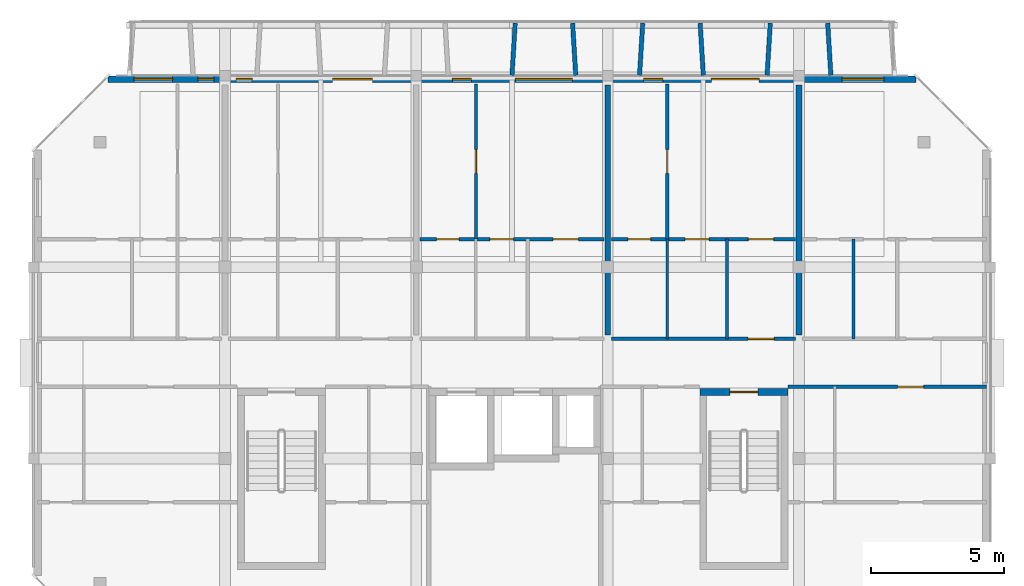
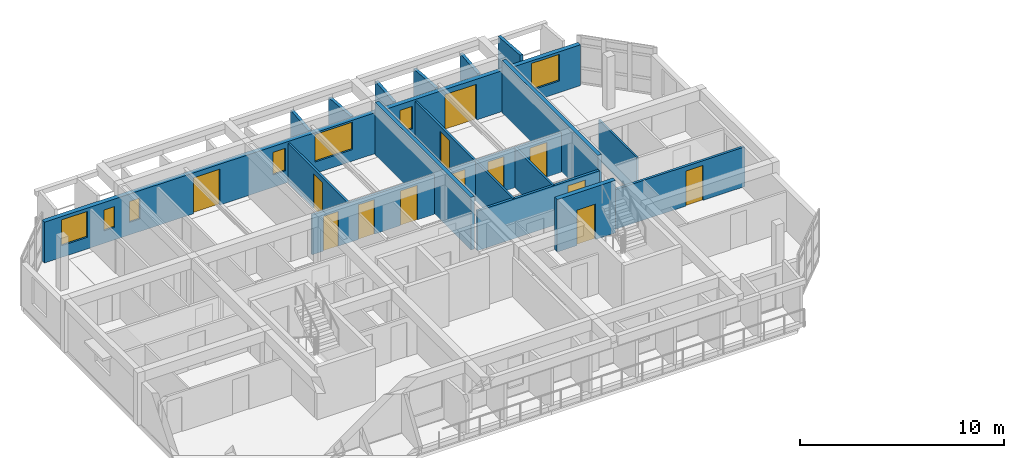
# One storey, part 13 of 19: 19 walls, 13 doors, 7 windows, 20 openings.
"""IFC4 building model written with IfcOpenShell, lengths in metres."""

from ifc_helpers import new_model, si_unit, direction, frame, frame_2d, origin, place, context, subcontext, project, spatial, rectangle, extrude, material, layer, layer_set, type_object, element, fill, save


model = new_model("IFC4")

# Units and contexts
model_context = context("Model", 3, precision=1e-05, world=origin(), true_north=direction((0.0, 1.0)))
body_context = subcontext(model_context, "Body", "Model", "MODEL_VIEW")
ifc_project = project(units=[si_unit("LENGTHUNIT", "METRE"), si_unit("AREAUNIT", "SQUARE_METRE"), si_unit("VOLUMEUNIT", "CUBIC_METRE"), si_unit("PLANEANGLEUNIT", "RADIAN"), si_unit("MASSUNIT", "GRAM", prefix="KILO")], contexts=[model_context])

# Site, building, storey
site_placement = place(None, origin())
site = spatial("IfcSite", under=ifc_project, at=site_placement, CompositionType="ELEMENT")
building_placement = place(site_placement, origin())
building = spatial("IfcBuilding", under=site, at=building_placement, Name="Ochrevale Crest", CompositionType="ELEMENT")
storey_placement = place(building_placement, frame((0.0, 0.0, 43.35009765625)))
storey = spatial("IfcBuildingStorey", under=building, at=storey_placement, Name="L13", CompositionType="ELEMENT", Elevation=43.35009765625)

# Wall, opening, door
ifc_material_1 = material(Name="Gypsum plasterboard", Category="gypsum")
ifc_layer_1 = layer(ifc_material_1, 0.139892578125)
ifc_layer_set_1 = layer_set([ifc_layer_1], Name="Gypsum plasterboard")
wall_type_1 = type_object("IfcWallType", Name="WL-COR-140", PredefinedType="PARTITIONING", material=ifc_layer_set_1)
wall_1_placement = place(storey_placement, frame((151.340087890625, 83.699951171875, 0.0), z_axis=(0.0, 0.0, 1.0), x_axis=(1.0, 0.0, 0.0)))
wall_1 = element("IfcWall", 1, at=wall_1_placement, inside=storey, type_object=wall_type_1, Name="Apartment D-L13-U4 corridor wall", PredefinedType="PARTITIONING", context=body_context, shape_type="SweptSolid", body=[
    extrude(rectangle(XDim=6.919921875, YDim=0.139892578125, at=frame_2d((3.4599609375, 0.0))), origin(), (0.0, 0.0, 1.0), 2.3798828125),
])
opening_1_placement = place(wall_1_placement, frame((5.14501953125, 0.0, 0.0)))
opening_1 = element("IfcOpeningElement", 2, at=opening_1_placement, cuts=wall_1, Name="Opening FD01", PredefinedType="OPENING", context=body_context, shape_type="SweptSolid", body=[
    extrude(rectangle(XDim=0.97998046875, YDim=2.10009765625, at=frame_2d((0.489990234375, 1.050048828125))), frame((0.0, 0.080078125, 0.0), z_axis=(0.0, -1.0, 0.0), x_axis=(1.0, 0.0, 0.0)), (0.0, 0.0, 1.0), 0.159912109375),
])
ifc_material_2 = material(Name="Solid-core FSC hardwood", Category="wood")
door_type_1 = type_object("IfcDoorType", Name="DR-APT-950", OperationType="NOTDEFINED", PredefinedType="DOOR", material=ifc_material_2)
door_1_placement = place(opening_1_placement, origin())
door_1 = element("IfcDoor", 3, at=door_1_placement, inside=storey, type_object=door_type_1, Name="Apartment D-L13-U4 entrance door", OperationType="SINGLE_SWING_LEFT", OverallHeight=2.10009765625, OverallWidth=0.97998046875, PredefinedType="DOOR", context=body_context, shape_type="SweptSolid", body=[
    extrude(rectangle(XDim=0.97998046875, YDim=2.10009765625, at=frame_2d((0.489990234375, 1.050048828125))), frame((0.0, 0.02490234375, 0.0), z_axis=(0.0, -1.0, 0.0), x_axis=(1.0, 0.0, 0.0)), (0.0, 0.0, 1.0), 0.050048828125),
])
fill(opening_1, door_1)

wall_2_placement = place(storey_placement, frame((157.989990234375, 81.89990234375, 0.0), z_axis=(0.0, 0.0, 1.0), x_axis=(1.0, 0.0, 0.0)))
wall_2 = element("IfcWall", 4, at=wall_2_placement, inside=storey, type_object=wall_type_1, Name="Suite D-L13-CE corridor wall", PredefinedType="PARTITIONING", context=body_context, shape_type="SweptSolid", body=[
    extrude(rectangle(XDim=7.469970703125, YDim=0.139892578125, at=frame_2d((3.73486328125, 0.0))), origin(), (0.0, 0.0, 1.0), 2.3798828125),
])
opening_2_placement = place(wall_2_placement, frame((4.1201171875, 0.0, 0.0)))
opening_2 = element("IfcOpeningElement", 5, at=opening_2_placement, cuts=wall_2, Name="Opening FD01", PredefinedType="OPENING", context=body_context, shape_type="SweptSolid", body=[
    extrude(rectangle(XDim=0.97998046875, YDim=2.10009765625, at=frame_2d((0.489990234375, 1.050048828125))), frame((0.0, 0.080078125, 0.0), z_axis=(0.0, -1.0, 0.0), x_axis=(1.0, 0.0, 0.0)), (0.0, 0.0, 1.0), 0.159912109375),
])
door_2_placement = place(opening_2_placement, origin())
door_2 = element("IfcDoor", 6, at=door_2_placement, inside=storey, type_object=door_type_1, Name="Suite D-L13-CE entrance door", OperationType="SINGLE_SWING_LEFT", OverallHeight=2.10009765625, OverallWidth=0.97998046875, PredefinedType="DOOR", context=body_context, shape_type="SweptSolid", body=[
    extrude(rectangle(XDim=0.97998046875, YDim=2.10009765625, at=frame_2d((0.489990234375, 1.050048828125))), frame((0.0, 0.02490234375, 0.0), z_axis=(0.0, -1.0, 0.0), x_axis=(1.0, 0.0, 0.0)), (0.0, 0.0, 1.0), 0.050048828125),
])
fill(opening_2, door_2)

ifc_material_3 = material(Name="Precast concrete C50/60", Category="concrete")
ifc_layer_2 = layer(ifc_material_3, 0.2548828125)
ifc_layer_set_2 = layer_set([ifc_layer_2], Name="Precast concrete C50/60")
wall_type_2 = type_object("IfcWallType", Name="WL-CORE-255", PredefinedType="SHEAR", material=ifc_layer_set_2)
wall_3_placement = place(storey_placement, frame((154.672607421875, 81.699951171875, 0.0), z_axis=(0.0, 0.0, 1.0), x_axis=(1.0, 0.0, 0.0)))
wall_3 = element("IfcWall", 7, at=wall_3_placement, inside=storey, type_object=wall_type_2, Name="Block D L13 Stair 2 precast core shear wall N", PredefinedType="SHEAR", context=body_context, shape_type="SweptSolid", body=[
    extrude(rectangle(XDim=3.304931640625, YDim=0.2548828125, at=frame_2d((1.65234375, 0.0))), origin(), (0.0, 0.0, 1.0), 3.14990234375),
])
opening_3_placement = place(wall_3_placement, frame((1.12744140625, 0.0, 0.0)))
opening_3 = element("IfcOpeningElement", 8, at=opening_3_placement, cuts=wall_3, Name="Opening FD03", PredefinedType="OPENING", context=body_context, shape_type="SweptSolid", body=[
    extrude(rectangle(XDim=1.050048828125, YDim=2.1201171875, at=frame_2d((0.52490234375, 1.06005859375))), frame((0.0, 0.137451171875, 0.0), z_axis=(0.0, -1.0, 0.0), x_axis=(1.0, 0.0, 0.0)), (0.0, 0.0, 1.0), 0.27490234375),
])
door_type_2 = type_object("IfcDoorType", Name="DR-ST-1050", OperationType="NOTDEFINED", PredefinedType="DOOR", material=ifc_material_2)
door_3_placement = place(opening_3_placement, origin())
door_3 = element("IfcDoor", 9, at=door_3_placement, inside=storey, type_object=door_type_2, Name="Block D L13 fire stair 2 door", OperationType="SINGLE_SWING_LEFT", OverallHeight=2.1201171875, OverallWidth=1.050048828125, PredefinedType="DOOR", context=body_context, shape_type="SweptSolid", body=[
    extrude(rectangle(XDim=1.050048828125, YDim=2.1201171875, at=frame_2d((0.52490234375, 1.06005859375))), frame((0.0, 0.02490234375, 0.0), z_axis=(0.0, -1.0, 0.0), x_axis=(1.0, 0.0, 0.0)), (0.0, 0.0, 1.0), 0.050048828125),
])
fill(opening_3, door_3)

# Wall, openings, doors, windows
ifc_material_4 = material(Name="Precast concrete C40/50", Category="concrete")
ifc_layer_3 = layer(ifc_material_4, 0.25)
ifc_layer_set_3 = layer_set([ifc_layer_3], Name="Precast concrete C40/50")
wall_type_3 = type_object("IfcWallType", Name="WL-EXT-GOLD-250", PredefinedType="SOLIDWALL", material=ifc_layer_set_3)
wall_4_placement = place(storey_placement, frame((162.800048828125, 93.47509765625, 0.0), z_axis=(0.0, 0.0, 1.0), x_axis=(-1.0, 0.0, 0.0)))
wall_4 = element("IfcWall", 10, at=wall_4_placement, inside=storey, type_object=wall_type_3, Name="Block D L13 external facade wall E5", PredefinedType="SOLIDWALL", context=body_context, shape_type="SweptSolid", body=[
    extrude(rectangle(XDim=30.400146484375, YDim=0.25, at=frame_2d((15.2001953125, 0.0))), origin(), (0.0, 0.0, 1.0), 2.449951171875),
])
opening_4_placement = place(wall_4_placement, frame((21.949951171875, 0.0, 0.0), z_axis=(0.0, 0.0, 1.0), x_axis=(-1.0, 0.0, 0.0)))
opening_4 = element("IfcOpeningElement", 11, at=opening_4_placement, cuts=wall_4, Name="Opening BD01", PredefinedType="OPENING", context=body_context, shape_type="SweptSolid", body=[
    extrude(rectangle(XDim=1.5, YDim=2.14990234375, at=frame_2d((0.75, 1.074951171875))), frame((0.0, 0.135009765625, 0.0), z_axis=(0.0, -1.0, 0.0), x_axis=(1.0, 0.0, 0.0)), (0.0, 0.0, 1.0), 0.27001953125),
])
opening_5_placement = place(wall_4_placement, frame((7.699951171875, 0.0, 0.0), z_axis=(0.0, 0.0, 1.0), x_axis=(-1.0, 0.0, 0.0)))
opening_5 = element("IfcOpeningElement", 12, at=opening_5_placement, cuts=wall_4, Name="Opening BD03", PredefinedType="OPENING", context=body_context, shape_type="SweptSolid", body=[
    extrude(rectangle(XDim=1.800048828125, YDim=2.14990234375, at=frame_2d((0.89990234375, 1.074951171875))), frame((0.0, 0.135009765625, 0.0), z_axis=(0.0, -1.0, 0.0), x_axis=(1.0, 0.0, 0.0)), (0.0, 0.0, 1.0), 0.27001953125),
])
opening_6_placement = place(wall_4_placement, frame((27.969970703125, 0.0, 0.699951171875)))
opening_6 = element("IfcOpeningElement", 13, at=opening_6_placement, cuts=wall_4, Name="Opening W08", PredefinedType="OPENING", context=body_context, shape_type="SweptSolid", body=[
    extrude(rectangle(XDim=1.4599609375, YDim=1.550048828125, at=frame_2d((0.72998046875, 0.77490234375))), frame((0.0, 0.135009765625, 0.0), z_axis=(0.0, -1.0, 0.0), x_axis=(1.0, 0.0, 0.0)), (0.0, 0.0, 1.0), 0.27001953125),
])
opening_7_placement = place(wall_4_placement, frame((26.419921875, 0.0, 0.75)))
opening_7 = element("IfcOpeningElement", 14, at=opening_7_placement, cuts=wall_4, Name="Opening W01", PredefinedType="OPENING", context=body_context, shape_type="SweptSolid", body=[
    extrude(rectangle(XDim=0.60009765625, YDim=1.25, at=frame_2d((0.300048828125, 0.625))), frame((0.0, 0.135009765625, 0.0), z_axis=(0.0, -1.0, 0.0), x_axis=(1.0, 0.0, 0.0)), (0.0, 0.0, 1.0), 0.27001953125),
])
opening_8_placement = place(wall_4_placement, frame((24.97998046875, 0.0, 0.75)))
opening_8 = element("IfcOpeningElement", 15, at=opening_8_placement, cuts=wall_4, Name="Opening W01", PredefinedType="OPENING", context=body_context, shape_type="SweptSolid", body=[
    extrude(rectangle(XDim=0.60009765625, YDim=1.25, at=frame_2d((0.300048828125, 0.625))), frame((0.0, 0.135009765625, 0.0), z_axis=(0.0, -1.0, 0.0), x_axis=(1.0, 0.0, 0.0)), (0.0, 0.0, 1.0), 0.27001953125),
])
opening_9_placement = place(wall_4_placement, frame((16.72509765625, 0.0, 0.75)))
opening_9 = element("IfcOpeningElement", 16, at=opening_9_placement, cuts=wall_4, Name="Opening W02", PredefinedType="OPENING", context=body_context, shape_type="SweptSolid", body=[
    extrude(rectangle(XDim=0.719970703125, YDim=1.35009765625, at=frame_2d((0.35986328125, 0.675048828125))), frame((0.0, 0.135009765625, 0.0), z_axis=(0.0, -1.0, 0.0), x_axis=(1.0, 0.0, 0.0)), (0.0, 0.0, 1.0), 0.27001953125),
])
opening_10_placement = place(wall_4_placement, frame((12.925048828125, 0.0, 0.68994140625)))
opening_10 = element("IfcOpeningElement", 17, at=opening_10_placement, cuts=wall_4, Name="Opening W13", PredefinedType="OPENING", context=body_context, shape_type="SweptSolid", body=[
    extrude(rectangle(XDim=2.14990234375, YDim=1.64990234375, at=frame_2d((1.074951171875, 0.824951171875))), frame((0.0, 0.135009765625, 0.0), z_axis=(0.0, -1.0, 0.0), x_axis=(1.0, 0.0, 0.0)), (0.0, 0.0, 1.0), 0.27001953125),
])
opening_11_placement = place(wall_4_placement, frame((9.52490234375, 0.0, 0.75)))
opening_11 = element("IfcOpeningElement", 18, at=opening_11_placement, cuts=wall_4, Name="Opening W02", PredefinedType="OPENING", context=body_context, shape_type="SweptSolid", body=[
    extrude(rectangle(XDim=0.719970703125, YDim=1.35009765625, at=frame_2d((0.35986328125, 0.675048828125))), frame((0.0, 0.135009765625, 0.0), z_axis=(0.0, -1.0, 0.0), x_axis=(1.0, 0.0, 0.0)), (0.0, 0.0, 1.0), 0.27001953125),
])
opening_12_placement = place(wall_4_placement, frame((1.2099609375, 0.0, 0.699951171875)))
opening_12 = element("IfcOpeningElement", 19, at=opening_12_placement, cuts=wall_4, Name="Opening W09", PredefinedType="OPENING", context=body_context, shape_type="SweptSolid", body=[
    extrude(rectangle(XDim=1.580078125, YDim=1.60009765625, at=frame_2d((0.7900390625, 0.800048828125))), frame((0.0, 0.135009765625, 0.0), z_axis=(0.0, -1.0, 0.0), x_axis=(1.0, 0.0, 0.0)), (0.0, 0.0, 1.0), 0.27001953125),
])
ifc_material_5 = material(Name="Anodised aluminium 6063-T5 and toughened glass", Category="aluminium")
door_type_3 = type_object("IfcDoorType", Name="DR-BAL-1500", OperationType="NOTDEFINED", PredefinedType="DOOR", material=ifc_material_5)
door_4_placement = place(opening_4_placement, origin())
door_4 = element("IfcDoor", 20, at=door_4_placement, inside=storey, type_object=door_type_3, Name="Block D L13 balcony door N2", OperationType="SINGLE_SWING_LEFT", OverallHeight=2.14990234375, OverallWidth=1.5, PredefinedType="DOOR", context=body_context, shape_type="SweptSolid", body=[
    extrude(rectangle(XDim=1.5, YDim=2.14990234375, at=frame_2d((0.75, 1.074951171875))), frame((0.0, 0.02490234375, 0.0), z_axis=(0.0, -1.0, 0.0), x_axis=(1.0, 0.0, 0.0)), (0.0, 0.0, 1.0), 0.050048828125),
])
fill(opening_4, door_4)
door_type_4 = type_object("IfcDoorType", Name="DR-BAL-1800", OperationType="NOTDEFINED", PredefinedType="DOOR", material=ifc_material_5)
door_5_placement = place(opening_5_placement, origin())
door_5 = element("IfcDoor", 21, at=door_5_placement, inside=storey, type_object=door_type_4, Name="Block D L13 balcony door N4", OperationType="SINGLE_SWING_RIGHT", OverallHeight=2.14990234375, OverallWidth=1.800048828125, PredefinedType="DOOR", context=body_context, shape_type="SweptSolid", body=[
    extrude(rectangle(XDim=1.800048828125, YDim=2.14990234375, at=frame_2d((0.89990234375, 1.074951171875))), frame((0.0, 0.02490234375, 0.0), z_axis=(0.0, -1.0, 0.0), x_axis=(1.0, 0.0, 0.0)), (0.0, 0.0, 1.0), 0.050048828125),
])
fill(opening_5, door_5)
ifc_material_6 = material(Name="Anodised aluminium 6063-T5 and low-E double glazing", Category="aluminium")
window_type_1 = type_object("IfcWindowType", Name="WIN-W01", PartitioningType="SINGLE_PANEL", PredefinedType="WINDOW", material=ifc_material_6)
window_1_placement = place(opening_7_placement, origin())
window_1 = element("IfcWindow", 22, at=window_1_placement, inside=storey, type_object=window_type_1, Name="Block D L13 Apartment D-L13-U1 Two Bedroom Living Room window", OverallHeight=1.25, OverallWidth=0.60009765625, PartitioningType="SINGLE_PANEL", PredefinedType="WINDOW", context=body_context, shape_type="SweptSolid", body=[
    extrude(rectangle(XDim=0.60009765625, YDim=1.25, at=frame_2d((0.300048828125, 0.625))), frame((0.0, 0.030029296875, 0.0), z_axis=(0.0, -1.0, 0.0), x_axis=(1.0, 0.0, 0.0)), (0.0, 0.0, 1.0), 0.06005859375),
])
fill(opening_7, window_1)
window_2_placement = place(opening_8_placement, origin())
window_2 = element("IfcWindow", 23, at=window_2_placement, inside=storey, type_object=window_type_1, Name="Block D L13 Apartment D-L13-U2 Master Bedroom window", OverallHeight=1.25, OverallWidth=0.60009765625, PartitioningType="SINGLE_PANEL", PredefinedType="WINDOW", context=body_context, shape_type="SweptSolid", body=[
    extrude(rectangle(XDim=0.60009765625, YDim=1.25, at=frame_2d((0.300048828125, 0.625))), frame((0.0, 0.030029296875, 0.0), z_axis=(0.0, -1.0, 0.0), x_axis=(1.0, 0.0, 0.0)), (0.0, 0.0, 1.0), 0.06005859375),
])
fill(opening_8, window_2)
window_type_2 = type_object("IfcWindowType", Name="WIN-W02", PartitioningType="SINGLE_PANEL", PredefinedType="WINDOW", material=ifc_material_6)
window_3_placement = place(opening_9_placement, origin())
window_3 = element("IfcWindow", 24, at=window_3_placement, inside=storey, type_object=window_type_2, Name="Block D L13 Apartment D-L13-U3 Master Bedroom window", OverallHeight=1.35009765625, OverallWidth=0.719970703125, PartitioningType="SINGLE_PANEL", PredefinedType="WINDOW", context=body_context, shape_type="SweptSolid", body=[
    extrude(rectangle(XDim=0.719970703125, YDim=1.35009765625, at=frame_2d((0.35986328125, 0.675048828125))), frame((0.0, 0.030029296875, 0.0), z_axis=(0.0, -1.0, 0.0), x_axis=(1.0, 0.0, 0.0)), (0.0, 0.0, 1.0), 0.06005859375),
])
fill(opening_9, window_3)
window_4_placement = place(opening_11_placement, origin())
window_4 = element("IfcWindow", 25, at=window_4_placement, inside=storey, type_object=window_type_2, Name="Block D L13 Apartment D-L13-U4 Twin Bedroom window", OverallHeight=1.35009765625, OverallWidth=0.719970703125, PartitioningType="SINGLE_PANEL", PredefinedType="WINDOW", context=body_context, shape_type="SweptSolid", body=[
    extrude(rectangle(XDim=0.719970703125, YDim=1.35009765625, at=frame_2d((0.35986328125, 0.675048828125))), frame((0.0, 0.030029296875, 0.0), z_axis=(0.0, -1.0, 0.0), x_axis=(1.0, 0.0, 0.0)), (0.0, 0.0, 1.0), 0.06005859375),
])
fill(opening_11, window_4)
window_type_3 = type_object("IfcWindowType", Name="WIN-W08", PartitioningType="SINGLE_PANEL", PredefinedType="WINDOW", material=ifc_material_6)
window_5_placement = place(opening_6_placement, origin())
window_5 = element("IfcWindow", 26, at=window_5_placement, inside=storey, type_object=window_type_3, Name="Block D L13 Apartment D-L13-U1 Double Bedroom window", OverallHeight=1.550048828125, OverallWidth=1.4599609375, PartitioningType="SINGLE_PANEL", PredefinedType="WINDOW", context=body_context, shape_type="SweptSolid", body=[
    extrude(rectangle(XDim=1.4599609375, YDim=1.550048828125, at=frame_2d((0.72998046875, 0.77490234375))), frame((0.0, 0.030029296875, 0.0), z_axis=(0.0, -1.0, 0.0), x_axis=(1.0, 0.0, 0.0)), (0.0, 0.0, 1.0), 0.06005859375),
])
fill(opening_6, window_5)
window_type_4 = type_object("IfcWindowType", Name="WIN-W09", PartitioningType="SINGLE_PANEL", PredefinedType="WINDOW", material=ifc_material_6)
window_6_placement = place(opening_12_placement, origin())
window_6 = element("IfcWindow", 27, at=window_6_placement, inside=storey, type_object=window_type_4, Name="Block D L13 Studio D-L13-U5 Living Room window", OverallHeight=1.60009765625, OverallWidth=1.580078125, PartitioningType="SINGLE_PANEL", PredefinedType="WINDOW", context=body_context, shape_type="SweptSolid", body=[
    extrude(rectangle(XDim=1.580078125, YDim=1.60009765625, at=frame_2d((0.7900390625, 0.800048828125))), frame((0.0, 0.030029296875, 0.0), z_axis=(0.0, -1.0, 0.0), x_axis=(1.0, 0.0, 0.0)), (0.0, 0.0, 1.0), 0.06005859375),
])
fill(opening_12, window_6)
window_type_5 = type_object("IfcWindowType", Name="WIN-W13", PartitioningType="SINGLE_PANEL", PredefinedType="WINDOW", material=ifc_material_6)
window_7_placement = place(opening_10_placement, origin())
window_7 = element("IfcWindow", 28, at=window_7_placement, inside=storey, type_object=window_type_5, Name="Block D L13 Apartment D-L13-U3 One Bedroom Living Room window", OverallHeight=1.64990234375, OverallWidth=2.14990234375, PartitioningType="SINGLE_PANEL", PredefinedType="WINDOW", context=body_context, shape_type="SweptSolid", body=[
    extrude(rectangle(XDim=2.14990234375, YDim=1.64990234375, at=frame_2d((1.074951171875, 0.824951171875))), frame((0.0, 0.030029296875, 0.0), z_axis=(0.0, -1.0, 0.0), x_axis=(1.0, 0.0, 0.0)), (0.0, 0.0, 1.0), 0.06005859375),
])
fill(opening_10, window_7)

# Walls
ifc_layer_4 = layer(ifc_material_4, 0.1650390625)
ifc_layer_set_4 = layer_set([ifc_layer_4], Name="Precast concrete C40/50")
wall_type_4 = type_object("IfcWallType", Name="WL-HC-CHEEK-165", PredefinedType="ELEMENTEDWALL", material=ifc_layer_set_4)
for number, where, z_axis, x_axis, name in (
    (29, (147.60009765625, 93.6201171875, 0.0), (0.0, 0.0, 1.0), (0.061046865508, 0.998134900808, 0.0), "Block D L13 N precast honeycomb cheek 7"),
    (30, (150.0, 93.6201171875, 0.0), (0.0, 0.0, 1.0), (-0.061170732449, 0.998127317276, 0.0), "Block D L13 N precast honeycomb cheek 8"),
):
    element("IfcWall", number, at=place(storey_placement, frame(where, z_axis=z_axis, x_axis=x_axis)), inside=storey, type_object=wall_type_4, Name=name, PredefinedType="ELEMENTEDWALL", context=body_context, shape_type="SweptSolid", body=[
        extrude(rectangle(XDim=1.963623046875, YDim=0.1650390625, at=frame_2d((0.98193359375, 0.0))), origin(), (0.0, 0.0, 1.0), 2.47998046875),
    ])
for number, where, z_axis, x_axis, name in (
    (31, (152.39990234375, 93.6201171875, 0.0), (0.0, 0.0, 1.0), (0.061170732449, 0.998127317276, 0.0), "Block D L13 N precast honeycomb cheek 9"),
    (32, (154.800048828125, 93.6201171875, 0.0), (0.0, 0.0, 1.0), (-0.061170732449, 0.998127317276, 0.0), "Block D L13 N precast honeycomb cheek 10"),
    (33, (157.199951171875, 93.6201171875, 0.0), (0.0, 0.0, 1.0), (0.061170732449, 0.998127317276, 0.0), "Block D L13 N precast honeycomb cheek 11"),
):
    element("IfcWall", number, at=place(storey_placement, frame(where, z_axis=z_axis, x_axis=x_axis)), inside=storey, type_object=wall_type_4, Name=name, PredefinedType="ELEMENTEDWALL", context=body_context, shape_type="SweptSolid", body=[
        extrude(rectangle(XDim=1.963623046875, YDim=0.1650390625, at=frame_2d((0.98193359375, 0.0))), origin(), (0.0, 0.0, 1.0), 2.52978515625),
    ])
wall_5_placement = place(storey_placement, frame((159.60009765625, 93.6201171875, 0.0), z_axis=(0.0, 0.0, 1.0), x_axis=(-0.061170732449, 0.998127317276, 0.0)))
element("IfcWall", 34, at=wall_5_placement, inside=storey, type_object=wall_type_4, Name="Block D L13 N precast honeycomb cheek 12", PredefinedType="ELEMENTEDWALL", context=body_context, shape_type="SweptSolid", body=[
    extrude(rectangle(XDim=1.963623046875, YDim=0.1650390625, at=frame_2d((0.98193359375, 0.0))), origin(), (0.0, 0.0, 1.0), 2.7998046875),
])

# Wall, openings, doors
ifc_layer_5 = layer(ifc_material_1, 0.1201171875)
ifc_layer_set_5 = layer_set([ifc_layer_5], Name="Gypsum plasterboard")
wall_type_5 = type_object("IfcWallType", Name="WL-PART-120", PredefinedType="PARTITIONING", material=ifc_layer_set_5)
wall_6_placement = place(storey_placement, frame((144.139892578125, 87.449951171875, 0.0), z_axis=(0.0, 0.0, 1.0), x_axis=(1.0, 0.0, 0.0)))
wall_6 = element("IfcWall", 35, at=wall_6_placement, inside=storey, type_object=wall_type_5, Name="Apartment D-L13-U3 central partition", PredefinedType="PARTITIONING", context=body_context, shape_type="SweptSolid", body=[
    extrude(rectangle(XDim=6.920166015625, YDim=0.1201171875, at=frame_2d((3.4599609375, 0.0))), origin(), (0.0, 0.0, 1.0), 2.3798828125),
])
opening_13_placement = place(wall_6_placement, frame((0.625, 0.0, 0.0)))
opening_13 = element("IfcOpeningElement", 36, at=opening_13_placement, cuts=wall_6, Name="Opening ID01", PredefinedType="OPENING", context=body_context, shape_type="SweptSolid", body=[
    extrude(rectangle(XDim=0.85009765625, YDim=2.080078125, at=frame_2d((0.425048828125, 1.0400390625))), frame((0.0, 0.070068359375, 0.0), z_axis=(0.0, -1.0, 0.0), x_axis=(1.0, 0.0, 0.0)), (0.0, 0.0, 1.0), 0.14013671875),
])
opening_14_placement = place(wall_6_placement, frame((3.52490234375, 0.0, 0.0), z_axis=(0.0, 0.0, 1.0), x_axis=(-1.0, 0.0, 0.0)))
opening_14 = element("IfcOpeningElement", 37, at=opening_14_placement, cuts=wall_6, Name="Opening ID02", PredefinedType="OPENING", context=body_context, shape_type="SweptSolid", body=[
    extrude(rectangle(XDim=0.89990234375, YDim=2.080078125, at=frame_2d((0.449951171875, 1.0400390625))), frame((0.0, 0.070068359375, 0.0), z_axis=(0.0, -1.0, 0.0), x_axis=(1.0, 0.0, 0.0)), (0.0, 0.0, 1.0), 0.14013671875),
])
opening_15_placement = place(wall_6_placement, frame((5.010009765625, 0.0, 0.0)))
opening_15 = element("IfcOpeningElement", 38, at=opening_15_placement, cuts=wall_6, Name="Opening ID06", PredefinedType="OPENING", context=body_context, shape_type="SweptSolid", body=[
    extrude(rectangle(XDim=0.949951171875, YDim=2.080078125, at=frame_2d((0.47509765625, 1.0400390625))), frame((0.0, 0.070068359375, 0.0), z_axis=(0.0, -1.0, 0.0), x_axis=(1.0, 0.0, 0.0)), (0.0, 0.0, 1.0), 0.14013671875),
])
door_type_5 = type_object("IfcDoorType", Name="DR-INT-900", OperationType="NOTDEFINED", PredefinedType="DOOR", material=ifc_material_2)
door_6_placement = place(opening_14_placement, origin())
door_6 = element("IfcDoor", 39, at=door_6_placement, inside=storey, type_object=door_type_5, Name="Apartment D-L13-U3 Kitchen door", OperationType="SINGLE_SWING_RIGHT", OverallHeight=2.080078125, OverallWidth=0.89990234375, PredefinedType="DOOR", context=body_context, shape_type="SweptSolid", body=[
    extrude(rectangle(XDim=0.89990234375, YDim=2.080078125, at=frame_2d((0.449951171875, 1.0400390625))), frame((0.0, 0.02490234375, 0.0), z_axis=(0.0, -1.0, 0.0), x_axis=(1.0, 0.0, 0.0)), (0.0, 0.0, 1.0), 0.050048828125),
])
fill(opening_14, door_6)
door_type_6 = type_object("IfcDoorType", Name="DR-INT-950", OperationType="NOTDEFINED", PredefinedType="DOOR", material=ifc_material_2)
door_7_placement = place(opening_15_placement, origin())
door_7 = element("IfcDoor", 40, at=door_7_placement, inside=storey, type_object=door_type_6, Name="Apartment D-L13-U3 Living Foyer door", OperationType="SINGLE_SWING_LEFT", OverallHeight=2.080078125, OverallWidth=0.949951171875, PredefinedType="DOOR", context=body_context, shape_type="SweptSolid", body=[
    extrude(rectangle(XDim=0.949951171875, YDim=2.080078125, at=frame_2d((0.47509765625, 1.0400390625))), frame((0.0, 0.02490234375, 0.0), z_axis=(0.0, -1.0, 0.0), x_axis=(1.0, 0.0, 0.0)), (0.0, 0.0, 1.0), 0.050048828125),
])
fill(opening_15, door_7)
door_type_7 = type_object("IfcDoorType", Name="DR-WC-850", OperationType="NOTDEFINED", PredefinedType="DOOR", material=ifc_material_2)
door_8_placement = place(opening_13_placement, origin())
door_8 = element("IfcDoor", 41, at=door_8_placement, inside=storey, type_object=door_type_7, Name="Apartment D-L13-U3 Bathroom door", OperationType="SINGLE_SWING_LEFT", OverallHeight=2.080078125, OverallWidth=0.85009765625, PredefinedType="DOOR", context=body_context, shape_type="SweptSolid", body=[
    extrude(rectangle(XDim=0.85009765625, YDim=2.080078125, at=frame_2d((0.425048828125, 1.0400390625))), frame((0.0, 0.02490234375, 0.0), z_axis=(0.0, -1.0, 0.0), x_axis=(1.0, 0.0, 0.0)), (0.0, 0.0, 1.0), 0.050048828125),
])
fill(opening_13, door_8)

# Wall, opening, door
wall_7_placement = place(storey_placement, frame((146.239990234375, 87.449951171875, 0.0), z_axis=(0.0, 0.0, 1.0), x_axis=(0.0, 1.0, 0.0)))
wall_7 = element("IfcWall", 42, at=wall_7_placement, inside=storey, type_object=wall_type_5, Name="Apartment D-L13-U3 bedroom partition", PredefinedType="PARTITIONING", context=body_context, shape_type="SweptSolid", body=[
    extrude(rectangle(XDim=5.85009765625, YDim=0.1201171875, at=frame_2d((2.925048828125, 0.0))), origin(), (0.0, 0.0, 1.0), 2.3798828125),
])
opening_16_placement = place(wall_7_placement, frame((3.375, 0.0, 0.0), z_axis=(0.0, 0.0, 1.0), x_axis=(-1.0, 0.0, 0.0)))
opening_16 = element("IfcOpeningElement", 43, at=opening_16_placement, cuts=wall_7, Name="Opening ID02", PredefinedType="OPENING", context=body_context, shape_type="SweptSolid", body=[
    extrude(rectangle(XDim=0.89990234375, YDim=2.080078125, at=frame_2d((0.449951171875, 1.0400390625))), frame((0.0, 0.070068359375, 0.0), z_axis=(0.0, -1.0, 0.0), x_axis=(1.0, 0.0, 0.0)), (0.0, 0.0, 1.0), 0.14013671875),
])
door_9_placement = place(opening_16_placement, origin())
door_9 = element("IfcDoor", 44, at=door_9_placement, inside=storey, type_object=door_type_5, Name="Apartment D-L13-U3 Master Bedroom door", OperationType="SINGLE_SWING_RIGHT", OverallHeight=2.080078125, OverallWidth=0.89990234375, PredefinedType="DOOR", context=body_context, shape_type="SweptSolid", body=[
    extrude(rectangle(XDim=0.89990234375, YDim=2.080078125, at=frame_2d((0.449951171875, 1.0400390625))), frame((0.0, 0.02490234375, 0.0), z_axis=(0.0, -1.0, 0.0), x_axis=(1.0, 0.0, 0.0)), (0.0, 0.0, 1.0), 0.050048828125),
])
fill(opening_16, door_9)

# Wall
wall_8_placement = place(storey_placement, frame((155.68994140625, 83.699951171875, 0.0), z_axis=(0.0, 0.0, 1.0), x_axis=(0.0, 1.0, 0.0)))
element("IfcWall", 45, at=wall_8_placement, inside=storey, type_object=wall_type_5, Name="Apartment D-L13-U4 kitchen-foyer wall", PredefinedType="PARTITIONING", context=body_context, shape_type="SweptSolid", body=[
    extrude(rectangle(XDim=3.75, YDim=0.1201171875, at=frame_2d((1.875, 0.0))), origin(), (0.0, 0.0, 1.0), 2.3798828125),
])

# Wall, openings, doors
wall_9_placement = place(storey_placement, frame((151.340087890625, 87.449951171875, 0.0), z_axis=(0.0, 0.0, 1.0), x_axis=(1.0, 0.0, 0.0)))
wall_9 = element("IfcWall", 46, at=wall_9_placement, inside=storey, type_object=wall_type_5, Name="Apartment D-L13-U4 central partition", PredefinedType="PARTITIONING", context=body_context, shape_type="SweptSolid", body=[
    extrude(rectangle(XDim=6.919921875, YDim=0.1201171875, at=frame_2d((3.4599609375, 0.0))), origin(), (0.0, 0.0, 1.0), 2.3798828125),
])
opening_17_placement = place(wall_9_placement, frame((1.47509765625, 0.0, 0.0), z_axis=(0.0, 0.0, 1.0), x_axis=(-1.0, 0.0, 0.0)))
opening_17 = element("IfcOpeningElement", 47, at=opening_17_placement, cuts=wall_9, Name="Opening ID01", PredefinedType="OPENING", context=body_context, shape_type="SweptSolid", body=[
    extrude(rectangle(XDim=0.85009765625, YDim=2.080078125, at=frame_2d((0.425048828125, 1.0400390625))), frame((0.0, 0.070068359375, 0.0), z_axis=(0.0, -1.0, 0.0), x_axis=(1.0, 0.0, 0.0)), (0.0, 0.0, 1.0), 0.14013671875),
])
opening_18_placement = place(wall_9_placement, frame((2.77490234375, 0.0, 0.0)))
opening_18 = element("IfcOpeningElement", 48, at=opening_18_placement, cuts=wall_9, Name="Opening ID02", PredefinedType="OPENING", context=body_context, shape_type="SweptSolid", body=[
    extrude(rectangle(XDim=0.89990234375, YDim=2.080078125, at=frame_2d((0.449951171875, 1.0400390625))), frame((0.0, 0.070068359375, 0.0), z_axis=(0.0, -1.0, 0.0), x_axis=(1.0, 0.0, 0.0)), (0.0, 0.0, 1.0), 0.14013671875),
])
opening_19_placement = place(wall_9_placement, frame((6.10986328125, 0.0, 0.0), z_axis=(0.0, 0.0, 1.0), x_axis=(-1.0, 0.0, 0.0)))
opening_19 = element("IfcOpeningElement", 49, at=opening_19_placement, cuts=wall_9, Name="Opening ID06", PredefinedType="OPENING", context=body_context, shape_type="SweptSolid", body=[
    extrude(rectangle(XDim=0.949951171875, YDim=2.080078125, at=frame_2d((0.47509765625, 1.0400390625))), frame((0.0, 0.070068359375, 0.0), z_axis=(0.0, -1.0, 0.0), x_axis=(1.0, 0.0, 0.0)), (0.0, 0.0, 1.0), 0.14013671875),
])
door_10_placement = place(opening_18_placement, origin())
door_10 = element("IfcDoor", 50, at=door_10_placement, inside=storey, type_object=door_type_5, Name="Apartment D-L13-U4 Kitchen door", OperationType="SINGLE_SWING_LEFT", OverallHeight=2.080078125, OverallWidth=0.89990234375, PredefinedType="DOOR", context=body_context, shape_type="SweptSolid", body=[
    extrude(rectangle(XDim=0.89990234375, YDim=2.080078125, at=frame_2d((0.449951171875, 1.0400390625))), frame((0.0, 0.02490234375, 0.0), z_axis=(0.0, -1.0, 0.0), x_axis=(1.0, 0.0, 0.0)), (0.0, 0.0, 1.0), 0.050048828125),
])
fill(opening_18, door_10)
door_11_placement = place(opening_19_placement, origin())
door_11 = element("IfcDoor", 51, at=door_11_placement, inside=storey, type_object=door_type_6, Name="Apartment D-L13-U4 Living Foyer door", OperationType="SINGLE_SWING_RIGHT", OverallHeight=2.080078125, OverallWidth=0.949951171875, PredefinedType="DOOR", context=body_context, shape_type="SweptSolid", body=[
    extrude(rectangle(XDim=0.949951171875, YDim=2.080078125, at=frame_2d((0.47509765625, 1.0400390625))), frame((0.0, 0.02490234375, 0.0), z_axis=(0.0, -1.0, 0.0), x_axis=(1.0, 0.0, 0.0)), (0.0, 0.0, 1.0), 0.050048828125),
])
fill(opening_19, door_11)
door_12_placement = place(opening_17_placement, origin())
door_12 = element("IfcDoor", 52, at=door_12_placement, inside=storey, type_object=door_type_7, Name="Apartment D-L13-U4 Bathroom door", OperationType="SINGLE_SWING_RIGHT", OverallHeight=2.080078125, OverallWidth=0.85009765625, PredefinedType="DOOR", context=body_context, shape_type="SweptSolid", body=[
    extrude(rectangle(XDim=0.85009765625, YDim=2.080078125, at=frame_2d((0.425048828125, 1.0400390625))), frame((0.0, 0.02490234375, 0.0), z_axis=(0.0, -1.0, 0.0), x_axis=(1.0, 0.0, 0.0)), (0.0, 0.0, 1.0), 0.050048828125),
])
fill(opening_17, door_12)

# Wall, opening, door
wall_10_placement = place(storey_placement, frame((153.43994140625, 87.449951171875, 0.0), z_axis=(0.0, 0.0, 1.0), x_axis=(0.0, 1.0, 0.0)))
wall_10 = element("IfcWall", 53, at=wall_10_placement, inside=storey, type_object=wall_type_5, Name="Apartment D-L13-U4 bedroom partition", PredefinedType="PARTITIONING", context=body_context, shape_type="SweptSolid", body=[
    extrude(rectangle(XDim=5.85009765625, YDim=0.1201171875, at=frame_2d((2.925048828125, 0.0))), origin(), (0.0, 0.0, 1.0), 2.3798828125),
])
opening_20_placement = place(wall_10_placement, frame((2.47509765625, 0.0, 0.0)))
opening_20 = element("IfcOpeningElement", 54, at=opening_20_placement, cuts=wall_10, Name="Opening ID02", PredefinedType="OPENING", context=body_context, shape_type="SweptSolid", body=[
    extrude(rectangle(XDim=0.89990234375, YDim=2.080078125, at=frame_2d((0.449951171875, 1.0400390625))), frame((0.0, 0.070068359375, 0.0), z_axis=(0.0, -1.0, 0.0), x_axis=(1.0, 0.0, 0.0)), (0.0, 0.0, 1.0), 0.14013671875),
])
door_13_placement = place(opening_20_placement, origin())
door_13 = element("IfcDoor", 55, at=door_13_placement, inside=storey, type_object=door_type_5, Name="Apartment D-L13-U4 Twin Bedroom door", OperationType="SINGLE_SWING_LEFT", OverallHeight=2.080078125, OverallWidth=0.89990234375, PredefinedType="DOOR", context=body_context, shape_type="SweptSolid", body=[
    extrude(rectangle(XDim=0.89990234375, YDim=2.080078125, at=frame_2d((0.449951171875, 1.0400390625))), frame((0.0, 0.02490234375, 0.0), z_axis=(0.0, -1.0, 0.0), x_axis=(1.0, 0.0, 0.0)), (0.0, 0.0, 1.0), 0.050048828125),
])
fill(opening_20, door_13)

# Walls
ifc_layer_6 = layer(ifc_material_4, 0.2099609375)
ifc_layer_set_6 = layer_set([ifc_layer_6], Name="Precast concrete C40/50")
wall_type_6 = type_object("IfcWallType", Name="WL-SHEAR-210", PredefinedType="SHEAR", material=ifc_layer_set_6)
for number, where, z_axis, x_axis, name in (
    (56, (151.199951171875, 83.85009765625, 0.0), (0.0, 0.0, 1.0), (0.0, 1.0, 0.0), "Block D L13 load-bearing precast cross-wall X=151.2"),
    (57, (158.39990234375, 83.85009765625, 0.0), (0.0, 0.0, 1.0), (0.0, 1.0, 0.0), "Block D L13 load-bearing precast cross-wall X=158.4"),
):
    element("IfcWall", number, at=place(storey_placement, frame(where, z_axis=z_axis, x_axis=x_axis)), inside=storey, type_object=wall_type_6, Name=name, PredefinedType="SHEAR", context=body_context, shape_type="SweptSolid", body=[
        extrude(rectangle(XDim=9.39990234375, YDim=0.2099609375, at=frame_2d((4.699951171875, 0.0))), origin(), (0.0, 0.0, 1.0), 3.14990234375),
    ])
ifc_layer_7 = layer(ifc_material_1, 0.10009765625)
ifc_layer_set_7 = layer_set([ifc_layer_7], Name="Gypsum plasterboard")
wall_type_7 = type_object("IfcWallType", Name="WL-WET-100", PredefinedType="PARTITIONING", material=ifc_layer_set_7)
for number, where, z_axis, x_axis, name in (
    (58, (153.43994140625, 83.699951171875, 0.0), (0.0, 0.0, 1.0), (0.0, 1.0, 0.0), "Apartment D-L13-U4 bath-kitchen wall"),
    (59, (160.449951171875, 83.699951171875, 0.0), (0.0, 0.0, 1.0), (0.0, 1.0, 0.0), "Apartment D-L13-U5 bath-kitchen wall"),
):
    element("IfcWall", number, at=place(storey_placement, frame(where, z_axis=z_axis, x_axis=x_axis)), inside=storey, type_object=wall_type_7, Name=name, PredefinedType="PARTITIONING", context=body_context, shape_type="SweptSolid", body=[
        extrude(rectangle(XDim=3.75, YDim=0.10009765625, at=frame_2d((1.875, 0.0))), origin(), (0.0, 0.0, 1.0), 2.3798828125),
    ])

save(model, "model.ifc")
